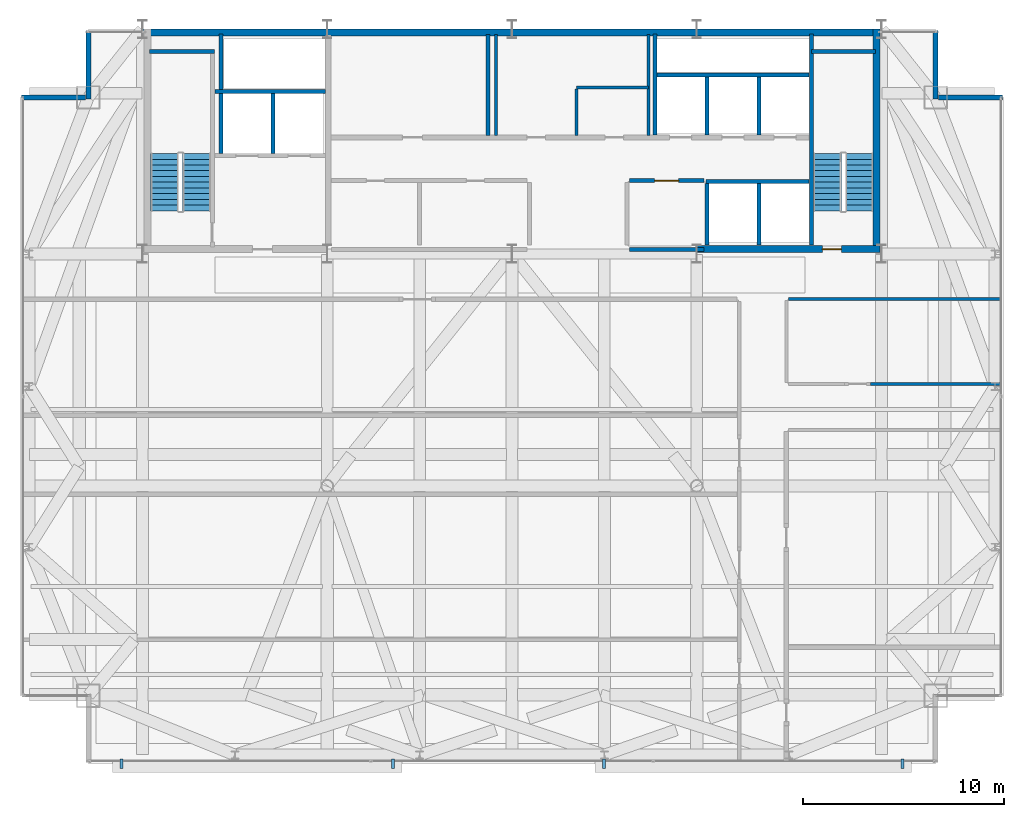
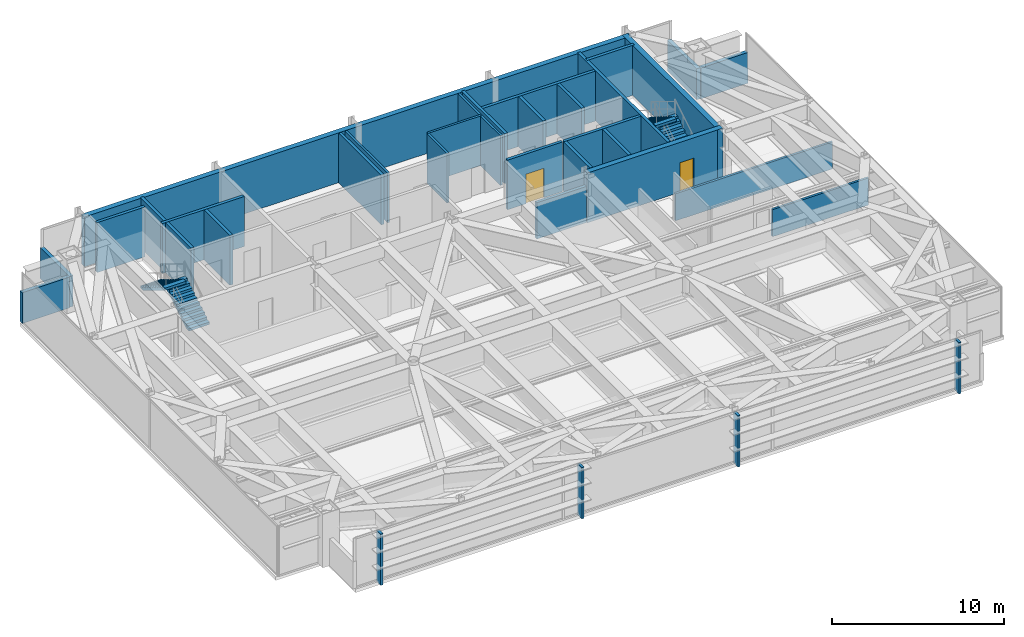
# One storey, part 22 of 23: 29 walls, 4 discrete accessories, 4 stair flights, 2 doors, 2 openings, 2 elements without a shape of their own.
"""IFC4 building model written with IfcOpenShell, lengths in metres."""

from ifc_helpers import new_model, si_unit, direction, frame, frame_2d, origin, origin_2d, place, context, subcontext, project, spatial, polyline, rectangle, outline, extrude, source, transform, mapped, material, layer, layer_set, type_object, type_shapes, element, fill, aggregate, save


model = new_model("IFC4")

# Units and contexts
model_context = context("Model", 3, precision=1e-05, world=origin(), true_north=direction((0.0, 1.0)))
body_context = subcontext(model_context, "Body", "Model", "MODEL_VIEW")
ifc_project = project(units=[si_unit("LENGTHUNIT", "METRE"), si_unit("AREAUNIT", "SQUARE_METRE"), si_unit("VOLUMEUNIT", "CUBIC_METRE"), si_unit("PLANEANGLEUNIT", "RADIAN"), si_unit("MASSUNIT", "GRAM", prefix="KILO")], contexts=[model_context])

# Site, building, storey
site_placement = place(None, origin())
site = spatial("IfcSite", under=ifc_project, at=site_placement, CompositionType="ELEMENT")
building_placement = place(site_placement, origin())
building = spatial("IfcBuilding", under=site, at=building_placement, Name="Varnel Quay Broadcast Tower", CompositionType="ELEMENT")
storey_placement = place(building_placement, frame((0.0, 0.0, 254.60009765625)))
storey = spatial("IfcBuildingStorey", under=building, at=storey_placement, Name="L63", CompositionType="ELEMENT", Elevation=254.60009765625)

# Walls
ifc_material_1 = material(Name="Concrete CSA A23.3 C50/60", Category="concrete")
ifc_layer_1 = layer(ifc_material_1, 0.199951171875, Name="Concrete CSA A23.3 C50/60")
ifc_layer_set_1 = layer_set([ifc_layer_1], Name="Concrete CSA A23.3 C50/60")
wall_type_1 = type_object("IfcWallType", Name="Wall_CoreShaftShear200", PredefinedType="SHEAR", material=ifc_layer_set_1)
wall_1_placement = place(storey_placement, frame((15.949951171875, 45.679931640625, 0.0), z_axis=(0.0, 0.0, 1.0), x_axis=(1.0, 0.0, 0.0)))
element("IfcWall", 1, at=wall_1_placement, inside=storey, type_object=wall_type_1, Name="L63 Stair 1 North Structural Wall", PredefinedType="SHEAR", context=body_context, shape_type="SweptSolid", body=[
    extrude(rectangle(XDim=3.22998046875, YDim=0.199951171875, at=frame_2d((1.614990234375, 0.0))), origin(), (0.0, 0.0, 1.0), 3.5498046875),
])
wall_2_placement = place(storey_placement, frame((19.199951171875, 43.699951171875, 0.0), z_axis=(0.0, 0.0, 1.0), x_axis=(1.0, 0.0, 0.0)))
element("IfcWall", 2, at=wall_2_placement, inside=storey, type_object=wall_type_1, Name="L63 Firefighter Lift Shaft Rear Wall", PredefinedType="SHEAR", context=body_context, shape_type="SweptSolid", body=[
    extrude(rectangle(XDim=5.52001953125, YDim=0.199951171875, at=frame_2d((2.760009765625, 0.0))), origin(), (0.0, 0.0, 1.0), 3.5498046875),
])
wall_3_placement = place(storey_placement, frame((22.10009765625, 40.60009765625, 0.0), z_axis=(0.0, 0.0, 1.0), x_axis=(0.0, 1.0, 0.0)))
element("IfcWall", 3, at=wall_3_placement, inside=storey, type_object=wall_type_1, Name="L63 Firefighter Lift Shaft Divider", PredefinedType="SHEAR", context=body_context, shape_type="SweptSolid", body=[
    extrude(rectangle(XDim=3.0, YDim=0.199951171875, at=frame_2d((1.5, 0.0))), origin(), (0.0, 0.0, 1.0), 3.5498046875),
])
wall_4_placement = place(storey_placement, frame((19.5, 40.60009765625, 0.0), z_axis=(0.0, 0.0, 1.0), x_axis=(0.0, 1.0, 0.0)))
element("IfcWall", 4, at=wall_4_placement, inside=storey, type_object=wall_type_1, Name="L63 Firefighter Lift Shaft West Wall", PredefinedType="SHEAR", context=body_context, shape_type="SweptSolid", body=[
    extrude(rectangle(XDim=5.949951171875, YDim=0.199951171875, at=frame_2d((2.97509765625, 0.0))), origin(), (0.0, 0.0, 1.0), 3.5498046875),
])
wall_5_placement = place(storey_placement, frame((48.919921875, 36.050048828125, 0.0), z_axis=(0.0, 0.0, 1.0), x_axis=(0.0, 1.0, 0.0)))
element("IfcWall", 5, at=wall_5_placement, inside=storey, type_object=wall_type_1, Name="L63 Stair 2 West Structural Wall", PredefinedType="SHEAR", context=body_context, shape_type="SweptSolid", body=[
    extrude(rectangle(XDim=10.5, YDim=0.199951171875, at=frame_2d((5.25, 0.0))), origin(), (0.0, 0.0, 1.0), 3.5498046875),
])
wall_6_placement = place(storey_placement, frame((48.919921875, 45.679931640625, 0.0), z_axis=(0.0, 0.0, 1.0), x_axis=(1.0, 0.0, 0.0)))
element("IfcWall", 6, at=wall_6_placement, inside=storey, type_object=wall_type_1, Name="L63 Stair 2 North Structural Wall", PredefinedType="SHEAR", context=body_context, shape_type="SweptSolid", body=[
    extrude(rectangle(XDim=3.18017578125, YDim=0.199951171875, at=frame_2d((1.590087890625, 0.0))), origin(), (0.0, 0.0, 1.0), 3.5498046875),
])
wall_7_placement = place(storey_placement, frame((41.219970703125, 44.5, 0.0), z_axis=(0.0, 0.0, 1.0), x_axis=(1.0, 0.0, 0.0)))
element("IfcWall", 7, at=wall_7_placement, inside=storey, type_object=wall_type_1, Name="L63 High-Rise Lift Shaft Rear Wall", PredefinedType="SHEAR", context=body_context, shape_type="SweptSolid", body=[
    extrude(rectangle(XDim=7.580078125, YDim=0.199951171875, at=frame_2d((3.7900390625, 0.0))), origin(), (0.0, 0.0, 1.0), 3.5498046875),
])
wall_8_placement = place(storey_placement, frame((41.1201171875, 41.530029296875, 0.0), z_axis=(0.0, 0.0, 1.0), x_axis=(0.0, 1.0, 0.0)))
element("IfcWall", 8, at=wall_8_placement, inside=storey, type_object=wall_type_1, Name="L63 High-Rise Lift Shaft Divider 1", PredefinedType="SHEAR", context=body_context, shape_type="SweptSolid", body=[
    extrude(rectangle(XDim=5.02001953125, YDim=0.199951171875, at=frame_2d((2.510009765625, 0.0))), origin(), (0.0, 0.0, 1.0), 3.5498046875),
])
for number, where, z_axis, x_axis, name in (
    (9, (43.699951171875, 41.530029296875, 0.0), (0.0, 0.0, 1.0), (0.0, 1.0, 0.0), "L63 High-Rise Lift Shaft Divider 2"),
    (10, (46.300048828125, 41.530029296875, 0.0), (0.0, 0.0, 1.0), (0.0, 1.0, 0.0), "L63 High-Rise Lift Shaft Divider 3"),
):
    element("IfcWall", number, at=place(storey_placement, frame(where, z_axis=z_axis, x_axis=x_axis)), inside=storey, type_object=wall_type_1, Name=name, PredefinedType="SHEAR", context=body_context, shape_type="SweptSolid", body=[
        extrude(rectangle(XDim=2.869873046875, YDim=0.199951171875, at=frame_2d((1.43505859375, 0.0))), origin(), (0.0, 0.0, 1.0), 3.5498046875),
    ])
for number, where, z_axis, x_axis, name in (
    (11, (43.699951171875, 36.050048828125, 0.0), (0.0, 0.0, 1.0), (0.0, 1.0, 0.0), "L63 Express Lift Shaft West Wall"),
    (12, (46.300048828125, 36.050048828125, 0.0), (0.0, 0.0, 1.0), (0.0, 1.0, 0.0), "L63 Express Lift Shaft Divider"),
):
    element("IfcWall", number, at=place(storey_placement, frame(where, z_axis=z_axis, x_axis=x_axis)), inside=storey, type_object=wall_type_1, Name=name, PredefinedType="SHEAR", context=body_context, shape_type="SweptSolid", body=[
        extrude(rectangle(XDim=3.050048828125, YDim=0.199951171875, at=frame_2d((1.52490234375, 0.0))), origin(), (0.0, 0.0, 1.0), 3.5498046875),
    ])
wall_9_placement = place(storey_placement, frame((43.64990234375, 39.199951171875, 0.0), z_axis=(0.0, 0.0, 1.0), x_axis=(1.0, 0.0, 0.0)))
element("IfcWall", 13, at=wall_9_placement, inside=storey, type_object=wall_type_1, Name="L63 Express Lift Shaft North Front Wall", PredefinedType="SHEAR", context=body_context, shape_type="SweptSolid", body=[
    extrude(rectangle(XDim=5.150146484375, YDim=0.199951171875, at=frame_2d((2.5751953125, 0.0))), origin(), (0.0, 0.0, 1.0), 3.5498046875),
])
ifc_layer_2 = layer(ifc_material_1, 0.35009765625, Name="Concrete CSA A23.3 C50/60")
ifc_layer_set_2 = layer_set([ifc_layer_2], Name="Concrete CSA A23.3 C50/60")
wall_type_2 = type_object("IfcWallType", Name="Wall_CoreShearExt350", PredefinedType="SHEAR", material=ifc_layer_set_2)
wall_10_placement = place(storey_placement, frame((15.60009765625, 46.625, 0.0), z_axis=(0.0, 0.0, 1.0), x_axis=(1.0, 0.0, 0.0)))
element("IfcWall", 14, at=wall_10_placement, inside=storey, type_object=wall_type_2, Name="L63 North Core Shear Wall", PredefinedType="SHEAR", context=body_context, shape_type="SweptSolid", body=[
    extrude(rectangle(XDim=36.7998046875, YDim=0.35009765625, at=frame_2d((18.39990234375, 0.0))), origin(), (0.0, 0.0, 1.0), 3.5498046875),
])
ifc_layer_3 = layer(ifc_material_1, 0.35009765625, Name="Concrete CSA A23.3 C50/60")
ifc_layer_set_3 = layer_set([ifc_layer_3], Name="Concrete CSA A23.3 C50/60")
wall_type_3 = type_object("IfcWallType", Name="Wall_CoreShearInt350", PredefinedType="SHEAR", material=ifc_layer_set_3)
wall_11_placement = place(storey_placement, frame((52.155029296875, 35.669921875, 0.0), z_axis=(0.0, 0.0, 1.0), x_axis=(0.0, 1.0, 0.0)))
element("IfcWall", 15, at=wall_11_placement, inside=storey, type_object=wall_type_3, Name="L63 East Core Shear Wall", PredefinedType="SHEAR", context=body_context, shape_type="SweptSolid", body=[
    extrude(rectangle(XDim=11.130126953125, YDim=0.35009765625, at=frame_2d((5.56494140625, 0.0))), origin(), (0.0, 0.0, 1.0), 3.5498046875),
])

# Wall, opening, door
wall_12_placement = place(storey_placement, frame((43.199951171875, 35.844970703125, 0.0), z_axis=(0.0, 0.0, 1.0), x_axis=(1.0, 0.0, 0.0)))
wall_12 = element("IfcWall", 16, at=wall_12_placement, inside=storey, type_object=wall_type_3, Name="L63 South-East Core Shear Wall", PredefinedType="SHEAR", context=body_context, shape_type="SweptSolid", body=[
    extrude(rectangle(XDim=9.130126953125, YDim=0.35009765625, at=frame_2d((4.56494140625, 0.0))), origin(), (0.0, 0.0, 1.0), 3.5498046875),
])
opening_1_placement = place(wall_12_placement, frame((6.25, 0.0, 0.0)))
opening_1 = element("IfcOpeningElement", 17, at=opening_1_placement, cuts=wall_12, Name="Opening D-L63-S2", PredefinedType="OPENING", context=body_context, shape_type="SweptSolid", body=[
    extrude(rectangle(XDim=0.949951171875, YDim=2.10009765625, at=frame_2d((0.47509765625, 1.050048828125))), frame((0.0, 0.18505859375, 0.0), z_axis=(0.0, -1.0, 0.0), x_axis=(1.0, 0.0, 0.0)), (0.0, 0.0, 1.0), 0.3701171875),
])
ifc_material_2 = material(Name="Insulated Fire-Rated Hollow Steel Door", Category="steel")
door_type_1 = type_object("IfcDoorType", Name="Door_FireStair950", OperationType="NOTDEFINED", PredefinedType="DOOR", material=ifc_material_2)
shared_shape_1 = source(origin(), body_context, "Body", "SweptSolid", [
    extrude(rectangle(XDim=0.949951171875, YDim=2.10009765625, at=frame_2d((0.47509765625, 1.050048828125))), frame((0.0, 0.02490234375, 0.0), z_axis=(0.0, -1.0, 0.0), x_axis=(1.0, 0.0, 0.0)), (0.0, 0.0, 1.0), 0.050048828125),
])
type_shapes(door_type_1, [shared_shape_1])
door_1_placement = place(opening_1_placement, origin())
door_1 = element("IfcDoor", 18, at=door_1_placement, inside=storey, type_object=door_type_1, Name="L63 Stair 2 Fire Door", OperationType="SINGLE_SWING_LEFT", OverallHeight=2.10009765625, OverallWidth=0.949951171875, PredefinedType="DOOR", context=body_context, shape_type="MappedRepresentation", body=[
    mapped(shared_shape_1, transform((0.0, 0.0, 0.0), x_axis=(1.0, 0.0, 0.0), y_axis=(0.0, 1.0, 0.0), z_axis=(0.0, 0.0, 1.0), scale=1.0)),
])
fill(opening_1, door_1)

# Walls
ifc_material_3 = material(Name="Precast Architectural Concrete C40/50", Category="concrete")
ifc_layer_4 = layer(ifc_material_3, 0.25, Name="Precast Architectural Concrete C40/50")
ifc_layer_set_4 = layer_set([ifc_layer_4], Name="Precast Architectural Concrete C40/50")
wall_type_4 = type_object("IfcWallType", Name="Wall_ExtTerrace250", PredefinedType="SOLIDWALL", material=ifc_layer_set_4)
wall_13_placement = place(storey_placement, frame((9.580078125, 43.39990234375, 0.0), z_axis=(0.0, 0.0, 1.0), x_axis=(1.0, 0.0, 0.0)))
element("IfcWall", 19, at=wall_13_placement, inside=storey, type_object=wall_type_4, Name="L63 Mega-Column Notch Cladding Wall NNW1", PredefinedType="SOLIDWALL", context=body_context, shape_type="SweptSolid", body=[
    extrude(rectangle(XDim=3.18994140625, YDim=0.25, at=frame_2d((1.594970703125, 0.0))), origin(), (0.0, 0.0, 1.0), 2.19482421875),
])
wall_14_placement = place(storey_placement, frame((12.89990234375, 43.320068359375, 0.0), z_axis=(0.0, 0.0, 1.0), x_axis=(0.0, 1.0, 0.0)))
element("IfcWall", 20, at=wall_14_placement, inside=storey, type_object=wall_type_4, Name="L63 Mega-Column Notch Cladding Wall NNW2", PredefinedType="SOLIDWALL", context=body_context, shape_type="SweptSolid", body=[
    extrude(rectangle(XDim=3.39990234375, YDim=0.25, at=frame_2d((1.699951171875, 0.0))), origin(), (0.0, 0.0, 1.0), 2.19482421875),
])
wall_15_placement = place(storey_placement, frame((55.22998046875, 43.39990234375, 0.0), z_axis=(0.0, 0.0, 1.0), x_axis=(1.0, 0.0, 0.0)))
element("IfcWall", 21, at=wall_15_placement, inside=storey, type_object=wall_type_4, Name="L63 Mega-Column Notch Cladding Wall NNE1", PredefinedType="SOLIDWALL", context=body_context, shape_type="SweptSolid", body=[
    extrude(rectangle(XDim=3.18994140625, YDim=0.25, at=frame_2d((1.594970703125, 0.0))), origin(), (0.0, 0.0, 1.0), 2.19482421875),
])
wall_16_placement = place(storey_placement, frame((55.10009765625, 43.320068359375, 0.0), z_axis=(0.0, 0.0, 1.0), x_axis=(0.0, 1.0, 0.0)))
element("IfcWall", 22, at=wall_16_placement, inside=storey, type_object=wall_type_4, Name="L63 Mega-Column Notch Cladding Wall NNE2", PredefinedType="SOLIDWALL", context=body_context, shape_type="SweptSolid", body=[
    extrude(rectangle(XDim=3.39990234375, YDim=0.25, at=frame_2d((1.699951171875, 0.0))), origin(), (0.0, 0.0, 1.0), 2.19482421875),
])
ifc_material_4 = material(Name="Concrete Blockwork Fire Enclosure C40/50", Category="masonry")
ifc_layer_5 = layer(ifc_material_4, 0.199951171875, Name="Concrete Blockwork Fire Enclosure C40/50")
ifc_layer_set_5 = layer_set([ifc_layer_5], Name="Concrete Blockwork Fire Enclosure C40/50")
wall_type_5 = type_object("IfcWallType", Name="Wall_FireShaft200", PredefinedType="SOLIDWALL", material=ifc_layer_set_5)
wall_17_placement = place(storey_placement, frame((39.85009765625, 35.824951171875, 0.0), z_axis=(0.0, 0.0, 1.0), x_axis=(1.0, 0.0, 0.0)))
element("IfcWall", 23, at=wall_17_placement, inside=storey, type_object=wall_type_5, Name="L63 Electrical Sub-Distribution Closet Partition 5", PredefinedType="SOLIDWALL", context=body_context, shape_type="SweptSolid", body=[
    extrude(rectangle(XDim=3.699951171875, YDim=0.199951171875, at=frame_2d((1.85009765625, 0.0))), origin(), (0.0, 0.0, 1.0), 2.574951171875),
])

# Wall, opening, door
wall_18_placement = place(storey_placement, frame((39.85009765625, 39.25, 0.0), z_axis=(0.0, 0.0, 1.0), x_axis=(1.0, 0.0, 0.0)))
wall_18 = element("IfcWall", 24, at=wall_18_placement, inside=storey, type_object=wall_type_5, Name="L63 Electrical Sub-Distribution Closet Partition 6", PredefinedType="SOLIDWALL", context=body_context, shape_type="SweptSolid", body=[
    extrude(rectangle(XDim=3.699951171875, YDim=0.199951171875, at=frame_2d((1.85009765625, 0.0))), origin(), (0.0, 0.0, 1.0), 3.52978515625),
])
opening_2_placement = place(wall_18_placement, frame((1.25, 0.0, 0.0)))
opening_2 = element("IfcOpeningElement", 25, at=opening_2_placement, cuts=wall_18, Name="Opening D-L63-03", PredefinedType="OPENING", context=body_context, shape_type="SweptSolid", body=[
    extrude(rectangle(XDim=1.199951171875, YDim=2.10009765625, at=frame_2d((0.60009765625, 1.050048828125))), frame((0.0, 0.10986328125, 0.0), z_axis=(0.0, -1.0, 0.0), x_axis=(1.0, 0.0, 0.0)), (0.0, 0.0, 1.0), 0.219970703125),
])
door_type_2 = type_object("IfcDoorType", Name="Door_Plant1200", OperationType="NOTDEFINED", PredefinedType="DOOR", material=ifc_material_2)
shared_shape_2 = source(origin(), body_context, "Body", "SweptSolid", [
    extrude(rectangle(XDim=1.199951171875, YDim=2.10009765625, at=frame_2d((0.60009765625, 1.050048828125))), frame((0.0, 0.02490234375, 0.0), z_axis=(0.0, -1.0, 0.0), x_axis=(1.0, 0.0, 0.0)), (0.0, 0.0, 1.0), 0.050048828125),
])
type_shapes(door_type_2, [shared_shape_2])
door_2_placement = place(opening_2_placement, origin())
door_2 = element("IfcDoor", 26, at=door_2_placement, inside=storey, type_object=door_type_2, Name="L63 Electrical Sub-Distribution Closet Door D-L63-03", OperationType="SINGLE_SWING_LEFT", OverallHeight=2.10009765625, OverallWidth=1.199951171875, PredefinedType="DOOR", context=body_context, shape_type="MappedRepresentation", body=[
    mapped(shared_shape_2, transform((0.0, 0.0, 0.0), x_axis=(1.0, 0.0, 0.0), y_axis=(0.0, 1.0, 0.0), z_axis=(0.0, 0.0, 1.0), scale=1.0)),
])
fill(opening_2, door_2)

# Walls
wall_19_placement = place(storey_placement, frame((32.800048828125, 41.5, 0.0), z_axis=(0.0, 0.0, 1.0), x_axis=(0.0, 1.0, 0.0)))
element("IfcWall", 27, at=wall_19_placement, inside=storey, type_object=wall_type_5, Name="L63 Broadcast Ingest Server Hall Partition 33", PredefinedType="SOLIDWALL", context=body_context, shape_type="SweptSolid", body=[
    extrude(rectangle(XDim=5.02001953125, YDim=0.199951171875, at=frame_2d((2.510009765625, 0.0))), origin(), (0.0, 0.0, 1.0), 3.52978515625),
])
ifc_material_5 = material(Name="Steel-Stud Fire-Rated Acoustic Gypsum Partition Assembly", Category="steel")
ifc_layer_6 = layer(ifc_material_5, 0.14990234375, Name="Steel-Stud Fire-Rated Acoustic Gypsum Partition Assembly")
ifc_layer_set_6 = layer_set([ifc_layer_6], Name="Steel-Stud Fire-Rated Acoustic Gypsum Partition Assembly")
wall_type_6 = type_object("IfcWallType", Name="Wall_Partition150", PredefinedType="PARTITIONING", material=ifc_layer_set_6)
wall_20_placement = place(storey_placement, frame((51.844970703125, 29.1298828125, 0.0), z_axis=(0.0, 0.0, 1.0), x_axis=(1.0, 0.0, 0.0)))
element("IfcWall", 28, at=wall_20_placement, inside=storey, type_object=wall_type_6, Name="L63 Pantry Niche 7 Partition 30", PredefinedType="PARTITIONING", context=body_context, shape_type="SweptSolid", body=[
    extrude(rectangle(XDim=6.47509765625, YDim=0.14990234375, at=frame_2d((3.237548828125, 0.0))), origin(), (0.0, 0.0, 1.0), 1.9248046875),
])
wall_21_placement = place(storey_placement, frame((47.760009765625, 33.35009765625, 0.0), z_axis=(0.0, 0.0, 1.0), x_axis=(1.0, 0.0, 0.0)))
element("IfcWall", 29, at=wall_21_placement, inside=storey, type_object=wall_type_6, Name="L63 Pantry Niche 7 Partition 31", PredefinedType="PARTITIONING", context=body_context, shape_type="SweptSolid", body=[
    extrude(rectangle(XDim=10.56005859375, YDim=0.14990234375, at=frame_2d((5.280029296875, 0.0))), origin(), (0.0, 0.0, 1.0), 1.9248046875),
])
wall_22_placement = place(storey_placement, frame((37.199951171875, 41.5, 0.0), z_axis=(0.0, 0.0, 1.0), x_axis=(0.0, 1.0, 0.0)))
element("IfcWall", 30, at=wall_22_placement, inside=storey, type_object=wall_type_6, Name="L63 Acoustic Rack & Patch Suite Partition 34", PredefinedType="PARTITIONING", context=body_context, shape_type="SweptSolid", body=[
    extrude(rectangle(XDim=2.324951171875, YDim=0.14990234375, at=frame_2d((1.16259765625, 0.0))), origin(), (0.0, 0.0, 1.0), 3.52978515625),
])
wall_23_placement = place(storey_placement, frame((37.199951171875, 43.89990234375, 0.0), z_axis=(0.0, 0.0, 1.0), x_axis=(1.0, 0.0, 0.0)))
element("IfcWall", 31, at=wall_23_placement, inside=storey, type_object=wall_type_6, Name="L63 Acoustic Rack & Patch Suite Partition 35", PredefinedType="PARTITIONING", context=body_context, shape_type="SweptSolid", body=[
    extrude(rectangle(XDim=3.60009765625, YDim=0.14990234375, at=frame_2d((1.800048828125, 0.0))), origin(), (0.0, 0.0, 1.0), 3.52978515625),
])
for number, where, z_axis, x_axis, name in (
    (32, (40.800048828125, 41.5, 0.0), (0.0, 0.0, 1.0), (0.0, 1.0, 0.0), "L63 Acoustic Rack & Patch Suite Partition 36"),
    (33, (33.199951171875, 41.5, 0.0), (0.0, 0.0, 1.0), (0.0, 1.0, 0.0), "L63 Acoustic Rack & Patch Suite Partition 37"),
):
    element("IfcWall", number, at=place(storey_placement, frame(where, z_axis=z_axis, x_axis=x_axis)), inside=storey, type_object=wall_type_6, Name=name, PredefinedType="PARTITIONING", context=body_context, shape_type="SweptSolid", body=[
        extrude(rectangle(XDim=5.02001953125, YDim=0.14990234375, at=frame_2d((2.510009765625, 0.0))), origin(), (0.0, 0.0, 1.0), 3.52978515625),
    ])

# Stair, stair flights
ifc_material_6 = material(Name="Precast Structural Concrete C40/50", Category="concrete")
stair_type_1 = type_object("IfcStairType", Name="Stair_ST-01", PredefinedType="HALF_TURN_STAIR", material=ifc_material_6)
stair_1_placement = place(storey_placement, origin())
stair_1 = element("IfcStair", 34, at=stair_1_placement, inside=storey, type_object=stair_type_1, Name="L63 West Core Exit Stair 1", PredefinedType="HALF_TURN_STAIR")
stair_flight_type_1 = type_object("IfcStairFlightType", Name="Flight_ST-01", PredefinedType="STRAIGHT", material=ifc_material_6)
stair_flight_1_placement = place(storey_placement, frame((18.300048828125, 37.75, 0.0), z_axis=(0.0, 0.0, 1.0), x_axis=(0.0, 1.0, 0.0)))
stair_flight_1 = element("IfcStairFlight", 35, at=stair_flight_1_placement, type_object=stair_flight_type_1, Name="ST-01 flight 1", NumberOfRisers=11, NumberOfTreads=10, PredefinedType="STRAIGHT", RiserHeight=0.172727273, TreadLength=0.285, context=body_context, shape_type="SweptSolid", body=[
    extrude(outline(polyline([(0.0, 0.0), (0.0, 0.172607421875), (0.284912109375, 0.172607421875), (0.284912109375, 0.345458984375), (0.570068359375, 0.345458984375), (0.570068359375, 0.51806640625), (0.85498046875, 0.51806640625), (0.85498046875, 0.69091796875), (1.139892578125, 0.69091796875), (1.139892578125, 0.863525390625), (1.425048828125, 0.863525390625), (1.425048828125, 1.036376953125), (1.7099609375, 1.036376953125), (1.7099609375, 1.208984375), (1.9951171875, 1.208984375), (1.9951171875, 1.3818359375), (2.280029296875, 1.3818359375), (2.280029296875, 1.554443359375), (2.56494140625, 1.554443359375), (2.56494140625, 1.727294921875), (2.85009765625, 1.727294921875), (2.85009765625, 1.89990234375), (2.85009765625, 1.552001953125), (0.289306640625, 0.0), (0.0, 0.0)])), frame((0.0, 0.699951171875, 0.0), z_axis=(0.0, -1.0, 0.0), x_axis=(1.0, 0.0, 0.0)), (0.0, 0.0, 1.0), 1.39990234375),
])
stair_flight_2_placement = place(storey_placement, frame((16.699951171875, 40.60009765625, 1.89990234375), z_axis=(0.0, 0.0, 1.0), x_axis=(0.0, -1.0, 0.0)))
stair_flight_2 = element("IfcStairFlight", 36, at=stair_flight_2_placement, type_object=stair_flight_type_1, Name="ST-01 flight 2", NumberOfRisers=11, NumberOfTreads=10, PredefinedType="STRAIGHT", RiserHeight=0.172727273, TreadLength=0.285, context=body_context, shape_type="SweptSolid", body=[
    extrude(outline(polyline([(0.0, 0.0), (0.0, 0.172607421875), (0.284912109375, 0.172607421875), (0.284912109375, 0.345458984375), (0.570068359375, 0.345458984375), (0.570068359375, 0.51806640625), (0.85498046875, 0.51806640625), (0.85498046875, 0.69091796875), (1.139892578125, 0.69091796875), (1.139892578125, 0.863525390625), (1.425048828125, 0.863525390625), (1.425048828125, 1.036376953125), (1.7099609375, 1.036376953125), (1.7099609375, 1.208984375), (1.9951171875, 1.208984375), (1.9951171875, 1.3818359375), (2.280029296875, 1.3818359375), (2.280029296875, 1.554443359375), (2.56494140625, 1.554443359375), (2.56494140625, 1.727294921875), (2.85009765625, 1.727294921875), (2.85009765625, 1.89990234375), (2.85009765625, 1.552001953125), (0.289306640625, 0.0), (0.0, 0.0)])), frame((0.0, 0.699951171875, 0.0), z_axis=(0.0, -1.0, 0.0), x_axis=(1.0, 0.0, 0.0)), (0.0, 0.0, 1.0), 1.39990234375),
])
aggregate(stair_1, [stair_flight_1, stair_flight_2])

stair_type_2 = type_object("IfcStairType", Name="Stair_ST-02", PredefinedType="HALF_TURN_STAIR", material=ifc_material_6)
stair_2_placement = place(storey_placement, origin())
stair_2 = element("IfcStair", 37, at=stair_2_placement, inside=storey, type_object=stair_type_2, Name="L63 East Core Exit Stair 2", PredefinedType="HALF_TURN_STAIR")
stair_flight_type_2 = type_object("IfcStairFlightType", Name="Flight_ST-02", PredefinedType="STRAIGHT", material=ifc_material_6)
stair_flight_3_placement = place(storey_placement, frame((51.300048828125, 37.75, 0.0), z_axis=(0.0, 0.0, 1.0), x_axis=(0.0, 1.0, 0.0)))
stair_flight_3 = element("IfcStairFlight", 38, at=stair_flight_3_placement, type_object=stair_flight_type_2, Name="ST-02 flight 1", NumberOfRisers=11, NumberOfTreads=10, PredefinedType="STRAIGHT", RiserHeight=0.172727273, TreadLength=0.285, context=body_context, shape_type="SweptSolid", body=[
    extrude(outline(polyline([(0.0, 0.0), (0.0, 0.172607421875), (0.284912109375, 0.172607421875), (0.284912109375, 0.345458984375), (0.570068359375, 0.345458984375), (0.570068359375, 0.51806640625), (0.85498046875, 0.51806640625), (0.85498046875, 0.69091796875), (1.139892578125, 0.69091796875), (1.139892578125, 0.863525390625), (1.425048828125, 0.863525390625), (1.425048828125, 1.036376953125), (1.7099609375, 1.036376953125), (1.7099609375, 1.208984375), (1.9951171875, 1.208984375), (1.9951171875, 1.3818359375), (2.280029296875, 1.3818359375), (2.280029296875, 1.554443359375), (2.56494140625, 1.554443359375), (2.56494140625, 1.727294921875), (2.85009765625, 1.727294921875), (2.85009765625, 1.89990234375), (2.85009765625, 1.552001953125), (0.289306640625, 0.0), (0.0, 0.0)])), frame((0.0, 0.699951171875, 0.0), z_axis=(0.0, -1.0, 0.0), x_axis=(1.0, 0.0, 0.0)), (0.0, 0.0, 1.0), 1.39990234375),
])
stair_flight_4_placement = place(storey_placement, frame((49.699951171875, 40.60009765625, 1.89990234375), z_axis=(0.0, 0.0, 1.0), x_axis=(0.0, -1.0, 0.0)))
stair_flight_4 = element("IfcStairFlight", 39, at=stair_flight_4_placement, type_object=stair_flight_type_2, Name="ST-02 flight 2", NumberOfRisers=11, NumberOfTreads=10, PredefinedType="STRAIGHT", RiserHeight=0.172727273, TreadLength=0.285, context=body_context, shape_type="SweptSolid", body=[
    extrude(outline(polyline([(0.0, 0.0), (0.0, 0.172607421875), (0.284912109375, 0.172607421875), (0.284912109375, 0.345458984375), (0.570068359375, 0.345458984375), (0.570068359375, 0.51806640625), (0.85498046875, 0.51806640625), (0.85498046875, 0.69091796875), (1.139892578125, 0.69091796875), (1.139892578125, 0.863525390625), (1.425048828125, 0.863525390625), (1.425048828125, 1.036376953125), (1.7099609375, 1.036376953125), (1.7099609375, 1.208984375), (1.9951171875, 1.208984375), (1.9951171875, 1.3818359375), (2.280029296875, 1.3818359375), (2.280029296875, 1.554443359375), (2.56494140625, 1.554443359375), (2.56494140625, 1.727294921875), (2.85009765625, 1.727294921875), (2.85009765625, 1.89990234375), (2.85009765625, 1.552001953125), (0.289306640625, 0.0), (0.0, 0.0)])), frame((0.0, 0.699951171875, 0.0), z_axis=(0.0, -1.0, 0.0), x_axis=(1.0, 0.0, 0.0)), (0.0, 0.0, 1.0), 1.39990234375),
])
aggregate(stair_2, [stair_flight_3, stair_flight_4])

# Discrete accessories
ifc_material_7 = material(Name="Anodised Bronze Aluminium 6063-T6", Category="aluminium")
ifc_layer_7 = layer(ifc_material_7, 0.47998046875, Name="Anodised Bronze Aluminium 6063-T6")
ifc_layer_set_7 = layer_set([ifc_layer_7], Name="Anodised Bronze Aluminium 6063-T6")
discrete_accessory_type = type_object("IfcDiscreteAccessoryType", Name="Acc_FacadeBracket", PredefinedType="BRACKET", material=ifc_layer_set_7)
shared_shape_3 = source(origin(), body_context, "Body", "SweptSolid", [
    extrude(rectangle(XDim=0.159912109375, YDim=0.47998046875, at=origin_2d()), origin(), (0.0, 0.0, 1.0), 3.64990234375),
])
type_shapes(discrete_accessory_type, [shared_shape_3])
for number, where, z_axis, x_axis, name in (
    (40, (14.550048828125, 10.219970703125, -0.150146484375), (0.0, 0.0, 1.0), (1.0, 0.0, 0.0), "L63 Lobe 1 Louvre Support Bracket 1"),
    (41, (28.0810546875, 10.219970703125, -0.150146484375), (0.0, 0.0, 1.0), (1.0, 0.0, 0.0), "L63 Lobe 1 Louvre Support Bracket 2"),
    (42, (38.5810546875, 10.219970703125, -0.150146484375), (0.0, 0.0, 1.0), (1.0, 0.0, 0.0), "L63 Lobe 2 Louvre Support Bracket 1"),
    (43, (53.449951171875, 10.219970703125, -0.150146484375), (0.0, 0.0, 1.0), (1.0, 0.0, 0.0), "L63 Lobe 2 Louvre Support Bracket 2"),
):
    element("IfcDiscreteAccessory", number, at=place(storey_placement, frame(where, z_axis=z_axis, x_axis=x_axis)), inside=storey, type_object=discrete_accessory_type, Name=name, PredefinedType="BRACKET", context=body_context, shape_type="MappedRepresentation", body=[
        mapped(shared_shape_3, transform((0.0, 0.0, 0.0), x_axis=(1.0, 0.0, 0.0), y_axis=(0.0, 1.0, 0.0), z_axis=(0.0, 0.0, 1.0), scale=1.0)),
    ])

save(model, "model.ifc")
